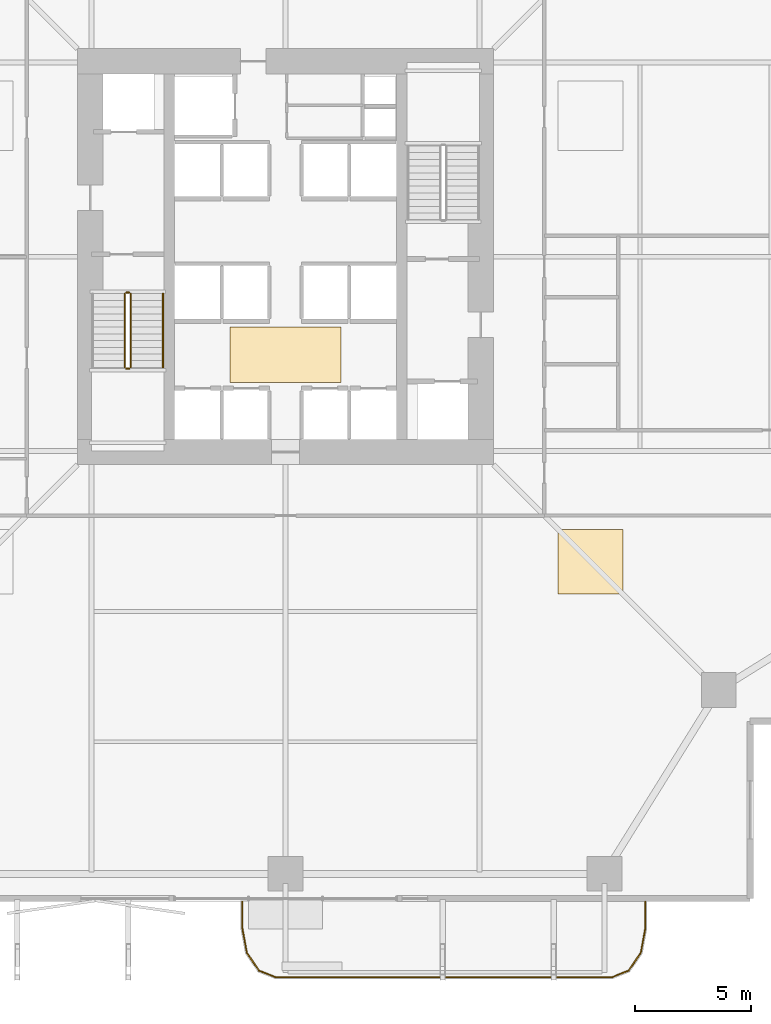
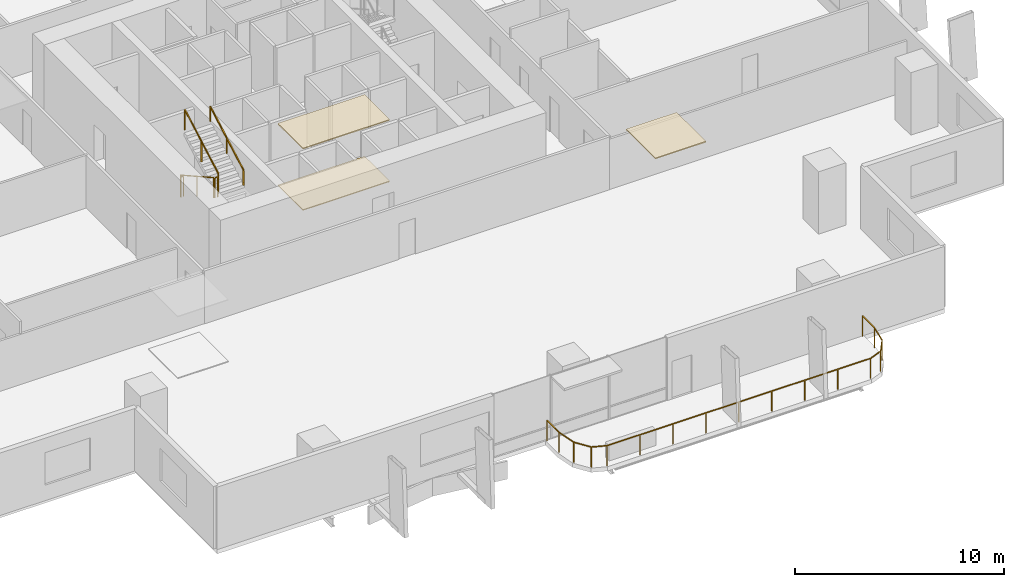
# One storey, part 22 of 24: 6 railings, 3 coverings.
"""IFC4 building model written with IfcOpenShell, lengths in metres."""

import ifcopenshell
import ifcopenshell.guid

model = None  # the IFC model being written
_history = None  # IfcOwnerHistory: only IFC2X3 demands one
_inside = {}  # id of a spatial element -> (the spatial element, [elements in it])
_under = {}  # id of a project, library or spatial element -> (it, [spatial elements below it])
_declared = {}  # id of a project -> (the project, [libraries it declares])
_typed = {}  # id of a type object -> (the type object, [elements of that type])
_made_of = {}  # id of a material, layer set ... -> (it, [elements and type objects made of it])


def new_model(schema):
    """Start an empty IFC model of exactly this schema.

    Asked for "IFC4X3", IfcOpenShell would pick the latest addendum, in which some entities
    have other attributes; the version numbers below select the first issue.
    IFC2X3 requires an IfcOwnerHistory on every rooted entity: one is made here for all.
    """
    global model, _history
    if schema == "IFC4X3":
        model = ifcopenshell.file(schema_version=(4, 3, 0, 0))
    else:
        model = ifcopenshell.file(schema=schema)
    _inside.clear()
    _under.clear()
    _declared.clear()
    _typed.clear()
    _made_of.clear()
    _history = None
    if model.schema == "IFC2X3":
        org = make("IfcOrganization", Name="unknown")
        user = make(
            "IfcPersonAndOrganization",
            ThePerson=make("IfcPerson", FamilyName="unknown"),
            TheOrganization=org,
        )
        app = make(
            "IfcApplication",
            ApplicationDeveloper=org,
            Version="unknown",
            ApplicationFullName="unknown",
            ApplicationIdentifier="unknown",
        )
        _history = make(
            "IfcOwnerHistory",
            OwningUser=user,
            OwningApplication=app,
            ChangeAction="ADDED",
            CreationDate=0,
        )
    return model


def make(cls, **values):
    """One entity of the class cls with the attributes given. An attribute that is None is left unset."""
    return model.create_entity(
        cls, **{name: value for name, value in values.items() if value is not None}
    )


def rooted(cls, **values):
    """An entity with a GlobalId (a new one), such as an element, a storey or a relation."""
    return make(cls, GlobalId=ifcopenshell.guid.new(), OwnerHistory=_history, **values)


def si_unit(unit_type, name, prefix=None):
    """IfcSIUnit, for example si_unit("LENGTHUNIT", "METRE", prefix="MILLI")."""
    return make("IfcSIUnit", UnitType=unit_type, Prefix=prefix, Name=name)


def assignment(units):
    """IfcUnitAssignment: the units of a project."""
    return None if units is None else make("IfcUnitAssignment", Units=units)


def point(xyz):
    """IfcCartesianPoint."""
    return None if xyz is None else make("IfcCartesianPoint", Coordinates=xyz)


def direction(xyz):
    """IfcDirection."""
    return None if xyz is None else make("IfcDirection", DirectionRatios=xyz)


def frame(location, z_axis=None, x_axis=None):
    """IfcAxis2Placement3D, a coordinate frame: its origin and axes. An axis left out is left unset."""
    return make(
        "IfcAxis2Placement3D",
        Location=point(location),
        Axis=direction(z_axis),
        RefDirection=direction(x_axis),
    )


def frame_2d(location, x_axis=None):
    """IfcAxis2Placement2D, a coordinate frame in the plane: its origin and x axis."""
    return make(
        "IfcAxis2Placement2D", Location=point(location), RefDirection=direction(x_axis)
    )


def origin():
    """The frame at (0, 0, 0) with its axes left unset."""
    return frame((0.0, 0.0, 0.0))


def origin_2d():
    """The frame at (0, 0) in the plane with its x axis left unset."""
    return frame_2d((0.0, 0.0))


def place(relative_to, where):
    """IfcLocalPlacement: puts the frame where relative to a parent placement (None: the world)."""
    return make(
        "IfcLocalPlacement", PlacementRelTo=relative_to, RelativePlacement=where
    )


def context(
    kind, dimensions, precision=None, world=None, true_north=None, identifier=None
):
    """IfcGeometricRepresentationContext, for example the 3D "Model" context."""
    return make(
        "IfcGeometricRepresentationContext",
        ContextIdentifier=identifier,
        ContextType=kind,
        CoordinateSpaceDimension=dimensions,
        Precision=precision,
        WorldCoordinateSystem=world,
        TrueNorth=true_north,
    )


def subcontext(parent, identifier, kind, view, scale=None):
    """IfcGeometricRepresentationSubContext, for example "Body" below "Model"."""
    return make(
        "IfcGeometricRepresentationSubContext",
        ContextIdentifier=identifier,
        ContextType=kind,
        ParentContext=parent,
        TargetScale=scale,
        TargetView=view,
    )


def project(units=None, contexts=None):
    """IfcProject with its units and contexts."""
    return rooted(
        "IfcProject",
        Name="project",
        RepresentationContexts=contexts,
        UnitsInContext=assignment(units),
    )


def spatial(cls, under=None, at=None, **own):
    """A site, building, storey or space (cls), placed at a placement, below another one or the project."""
    s = rooted(cls, ObjectPlacement=at, **own)
    if under is not None:
        _under.setdefault(under.id(), (under, []))[1].append(s)
    return s


def polyline(points):
    """IfcPolyline through the points."""
    return make("IfcPolyline", Points=[point(p) for p in points])


def profile(cls, at=None, kind="AREA", **sizes):
    """A parametric profile (cls). Its sizes go by their IFC names, for example OverallWidth=200.0."""
    return make(cls, ProfileType=kind, Position=at, **sizes)


def rectangle(**sizes):
    """IfcRectangleProfileDef."""
    return profile("IfcRectangleProfileDef", **sizes)


def outline(outer, holes=None, kind="AREA"):
    """IfcArbitraryClosedProfileDef: a profile drawn as a closed curve; with holes, ...WithVoids."""
    if holes is None:
        return make("IfcArbitraryClosedProfileDef", ProfileType=kind, OuterCurve=outer)
    return make(
        "IfcArbitraryProfileDefWithVoids",
        ProfileType=kind,
        OuterCurve=outer,
        InnerCurves=holes,
    )


def extrude(swept, where, along, depth):
    """IfcExtrudedAreaSolid: the profile swept, set in the frame where, extruded along a direction by depth."""
    return make(
        "IfcExtrudedAreaSolid",
        SweptArea=swept,
        Position=where,
        ExtrudedDirection=direction(along),
        Depth=depth,
    )


def shape(context_of_items, identifier, shape_type, items):
    """IfcShapeRepresentation: the items that make up one representation, for example the "Body"."""
    return make(
        "IfcShapeRepresentation",
        ContextOfItems=context_of_items,
        RepresentationIdentifier=identifier,
        RepresentationType=shape_type,
        Items=items,
    )


def material(Name=None, Category=None):
    """IfcMaterial."""
    return make("IfcMaterial", Name=Name, Category=Category)


def layer(
    of_material, thickness, ventilated=None, Name=None, Category=None, Priority=None
):
    """IfcMaterialLayer: one layer of a wall or slab, of a material (None: an air gap)."""
    return make(
        "IfcMaterialLayer",
        Material=of_material,
        LayerThickness=thickness,
        IsVentilated=ventilated,
        Name=Name,
        Category=Category,
        Priority=Priority,
    )


def layer_set(layers, Name=None):
    """IfcMaterialLayerSet."""
    return make("IfcMaterialLayerSet", MaterialLayers=layers, LayerSetName=Name)


def made_of(thing, what):
    """Note that an element or type object is made of a material, layer set ...; save() writes the relation."""
    if what is not None:
        _made_of.setdefault(what.id(), (what, []))[1].append(thing)
    return thing


def type_object(cls, material=None, **own):
    """A type object (cls), such as IfcWallType, which elements share."""
    return made_of(rooted(cls, **own), material)


def element(
    cls,
    number,
    at=None,
    inside=None,
    cuts=None,
    type_object=None,
    material=None,
    context=None,
    identifier="Body",
    shape_type=None,
    held_by="IfcProductDefinitionShape",
    body=None,
    shapes=None,
    **own,
):
    """One element of the class cls, such as IfcWall. Its Tag is "e" and its number.

    at: its placement. inside: the storey or other place that contains it. cuts: it is an
    opening in that element (IfcRelVoidsElement). A single representation is given by context,
    identifier, shape_type and body (its items); several are given by shapes. held_by: the class
    of the entity that holds the representations. save() writes the other relations.
    """
    e = rooted(cls, Tag="e%d" % number, ObjectPlacement=at, **own)
    if body is not None:
        shapes = [shape(context, identifier, shape_type, body)]
    if shapes is not None:
        e.Representation = make(held_by, Representations=shapes)
    if inside is not None:
        _inside.setdefault(inside.id(), (inside, []))[1].append(e)
    if cuts is not None:
        rooted(
            "IfcRelVoidsElement", RelatingBuildingElement=cuts, RelatedOpeningElement=e
        )
    if type_object is not None:
        _typed.setdefault(type_object.id(), (type_object, []))[1].append(e)
    return made_of(e, material)


def aggregate(whole, parts):
    """IfcRelAggregates: a whole, such as a stair, and the parts it consists of."""
    return rooted("IfcRelAggregates", RelatingObject=whole, RelatedObjects=parts)


def save(model, path):
    """Write the relations noted so far, then the file.

    IfcRelAggregates (storeys below a building ...), IfcRelContainedInSpatialStructure (elements
    in a storey), IfcRelDefinesByType, IfcRelAssociatesMaterial and IfcRelDeclares: one each for
    every whole, place, type object, material and project.
    """
    for whole, parts in _under.values():
        aggregate(whole, parts)
    for where, things in _inside.values():
        rooted(
            "IfcRelContainedInSpatialStructure",
            RelatedElements=things,
            RelatingStructure=where,
        )
    for kind, things in _typed.values():
        rooted("IfcRelDefinesByType", RelatedObjects=things, RelatingType=kind)
    for what, things in _made_of.values():
        rooted("IfcRelAssociatesMaterial", RelatedObjects=things, RelatingMaterial=what)
    for by, libraries in _declared.values():
        rooted("IfcRelDeclares", RelatingContext=by, RelatedDefinitions=libraries)
    model.write(path)


model = new_model("IFC4")

# Units and contexts
model_context = context("Model", 3, precision=1e-05, world=origin(), true_north=direction((0.0, 1.0)))
body_context = subcontext(model_context, "Body", "Model", "MODEL_VIEW")
ifc_project = project(units=[si_unit("LENGTHUNIT", "METRE"), si_unit("AREAUNIT", "SQUARE_METRE"), si_unit("VOLUMEUNIT", "CUBIC_METRE"), si_unit("PLANEANGLEUNIT", "RADIAN"), si_unit("MASSUNIT", "GRAM", prefix="KILO")], contexts=[model_context])

# Site, building, storey
site_placement = place(None, origin())
site = spatial("IfcSite", under=ifc_project, at=site_placement, CompositionType="ELEMENT")
building_placement = place(site_placement, origin())
building = spatial("IfcBuilding", under=site, at=building_placement, Name="Belovzor Exchange Tower", CompositionType="ELEMENT")
storey_placement = place(building_placement, frame((0.0, 0.0, 45.60009765625)))
storey = spatial("IfcBuildingStorey", under=building, at=storey_placement, Name="L10", CompositionType="ELEMENT", Elevation=45.60009765625)

# Railings
ifc_material_1 = material(Name="Stainless Steel Grade 304", Category="steel")
railing_type_1 = type_object("IfcRailingType", Name="Brushed Stainless Steel Stair Handrail 900", PredefinedType="HANDRAIL", material=ifc_material_1)
railing_1_placement = place(storey_placement, frame((23.5, 24.010009765625, 2.1123046875)))
element("IfcRailing", 1, at=railing_1_placement, inside=storey, type_object=railing_type_1, Name="L10 ST-1 stair handrail 2", PredefinedType="HANDRAIL", context=body_context, shape_type="SweptSolid", body=[
    extrude(rectangle(XDim=0.048095703125, YDim=0.048095703125, at=origin_2d()), frame((0.0, 0.0, 0.8759765625), z_axis=(0.0, 0.8723625253, 0.488859514025), x_axis=(-1.0, 0.0, 0.0)), (0.0, 0.0, 1.0), 3.65673828125),
    extrude(rectangle(XDim=0.0419921875, YDim=0.0419921875, at=origin_2d()), origin(), (0.0, 0.0, 1.0), 0.851806640625),
    extrude(rectangle(XDim=0.0419921875, YDim=0.0419921875, at=origin_2d()), frame((0.0, 1.594970703125, 0.893798828125)), (0.0, 0.0, 1.0), 0.851806640625),
    extrude(rectangle(XDim=0.0419921875, YDim=0.0419921875, at=origin_2d()), frame((0.0, 3.18994140625, 1.78759765625)), (0.0, 0.0, 1.0), 0.851806640625),
])
ifc_material_2 = material(Name="Stainless Steel and Laminated Safety Glass", Category="steel")
railing_type_2 = type_object("IfcRailingType", Name="Laminated Glass & Stainless Steel Balcony Balustrade 1200", PredefinedType="BALUSTRADE", material=ifc_material_2)
railing_2_placement = place(storey_placement, frame((26.929931640625, 0.889892578125, 0.0)))
element("IfcRailing", 2, at=railing_2_placement, inside=storey, type_object=railing_type_2, Name="GR-1 Balcony Balustrade L10 South", PredefinedType="BALUSTRADE", context=body_context, shape_type="SweptSolid", body=[
    extrude(rectangle(XDim=0.048095703125, YDim=0.048095703125, at=origin_2d()), frame((0.0, 0.0, 1.17578125), z_axis=(0.0, -1.0, 0.0), x_axis=(1.0, 0.0, 0.0)), (0.0, 0.0, 1.0), 1.1328125),
    extrude(rectangle(XDim=0.048095703125, YDim=0.048095703125, at=origin_2d()), frame((0.0, -1.1328125, 1.17578125), z_axis=(0.180083182347, -0.983651385113, 0.0), x_axis=(0.983651385113, 0.180083182347, 0.0)), (0.0, 0.0, 1.0), 1.093994140625),
    extrude(rectangle(XDim=0.048095703125, YDim=0.048095703125, at=origin_2d()), frame((0.197021484375, -2.208984375, 1.17578125), z_axis=(0.56294695933, -0.826493025367, 0.0), x_axis=(0.826493025367, 0.56294695933, 0.0)), (0.0, 0.0, 1.0), 0.932861328125),
    extrude(rectangle(XDim=0.048095703125, YDim=0.048095703125, at=origin_2d()), frame((0.72216796875, -2.97998046875, 1.17578125), z_axis=(0.930766990125, -0.365612923861, 0.0), x_axis=(0.365612923861, 0.930766990125, 0.0)), (0.0, 0.0, 1.0), 0.765869140625),
    extrude(rectangle(XDim=0.048095703125, YDim=0.048095703125, at=origin_2d()), frame((1.43505859375, -3.260009765625, 1.17578125), z_axis=(1.0, 0.0, 0.0), x_axis=(0.0, 1.0, 0.0)), (0.0, 0.0, 1.0), 14.570068359375),
    extrude(rectangle(XDim=0.048095703125, YDim=0.048095703125, at=origin_2d()), frame((16.005126953125, -3.260009765625, 1.17578125), z_axis=(0.930766990125, 0.365612923861, 0.0), x_axis=(-0.365612923861, 0.930766990125, 0.0)), (0.0, 0.0, 1.0), 0.765869140625),
    extrude(rectangle(XDim=0.048095703125, YDim=0.048095703125, at=origin_2d()), frame((16.718017578125, -2.97998046875, 1.17578125), z_axis=(0.56294695933, 0.826493025367, 0.0), x_axis=(-0.826493025367, 0.56294695933, 0.0)), (0.0, 0.0, 1.0), 0.932861328125),
    extrude(rectangle(XDim=0.048095703125, YDim=0.048095703125, at=origin_2d()), frame((17.2431640625, -2.208984375, 1.17578125), z_axis=(0.180083182347, 0.983651385113, 0.0), x_axis=(-0.983651385113, 0.180083182347, 0.0)), (0.0, 0.0, 1.0), 1.093994140625),
    extrude(rectangle(XDim=0.048095703125, YDim=0.048095703125, at=origin_2d()), frame((17.440185546875, -1.1328125, 1.17578125), z_axis=(0.0, 1.0, 0.0), x_axis=(-1.0, 0.0, 0.0)), (0.0, 0.0, 1.0), 1.1328125),
    extrude(rectangle(XDim=0.0419921875, YDim=0.0419921875, at=origin_2d()), origin(), (0.0, 0.0, 1.0), 1.15185546875),
    extrude(rectangle(XDim=0.0419921875, YDim=0.0419921875, at=origin_2d()), frame((0.0, -1.1328125, 0.0)), (0.0, 0.0, 1.0), 1.15185546875),
    extrude(rectangle(XDim=0.0419921875, YDim=0.0419921875, at=origin_2d()), frame((0.197021484375, -2.208984375, 0.0)), (0.0, 0.0, 1.0), 1.15185546875),
    extrude(rectangle(XDim=0.0419921875, YDim=0.0419921875, at=origin_2d()), frame((0.72216796875, -2.97998046875, 0.0)), (0.0, 0.0, 1.0), 1.15185546875),
    extrude(rectangle(XDim=0.0419921875, YDim=0.0419921875, at=origin_2d()), frame((1.43505859375, -3.260009765625, 0.0)), (0.0, 0.0, 1.0), 1.15185546875),
    extrude(rectangle(XDim=0.0419921875, YDim=0.0419921875, at=origin_2d()), frame((3.25634765625, -3.260009765625, 0.0)), (0.0, 0.0, 1.0), 1.15185546875),
    extrude(rectangle(XDim=0.0419921875, YDim=0.0419921875, at=origin_2d()), frame((5.07763671875, -3.260009765625, 0.0)), (0.0, 0.0, 1.0), 1.15185546875),
    extrude(rectangle(XDim=0.0419921875, YDim=0.0419921875, at=origin_2d()), frame((6.89892578125, -3.260009765625, 0.0)), (0.0, 0.0, 1.0), 1.15185546875),
    extrude(rectangle(XDim=0.0419921875, YDim=0.0419921875, at=origin_2d()), frame((8.72021484375, -3.260009765625, 0.0)), (0.0, 0.0, 1.0), 1.15185546875),
    extrude(rectangle(XDim=0.0419921875, YDim=0.0419921875, at=origin_2d()), frame((10.541259765625, -3.260009765625, 0.0)), (0.0, 0.0, 1.0), 1.15185546875),
    extrude(rectangle(XDim=0.0419921875, YDim=0.0419921875, at=origin_2d()), frame((12.362548828125, -3.260009765625, 0.0)), (0.0, 0.0, 1.0), 1.15185546875),
    extrude(rectangle(XDim=0.0419921875, YDim=0.0419921875, at=origin_2d()), frame((14.183837890625, -3.260009765625, 0.0)), (0.0, 0.0, 1.0), 1.15185546875),
    extrude(rectangle(XDim=0.0419921875, YDim=0.0419921875, at=origin_2d()), frame((16.005126953125, -3.260009765625, 0.0)), (0.0, 0.0, 1.0), 1.15185546875),
    extrude(rectangle(XDim=0.0419921875, YDim=0.0419921875, at=origin_2d()), frame((16.718017578125, -2.97998046875, 0.0)), (0.0, 0.0, 1.0), 1.15185546875),
    extrude(rectangle(XDim=0.0419921875, YDim=0.0419921875, at=origin_2d()), frame((17.2431640625, -2.208984375, 0.0)), (0.0, 0.0, 1.0), 1.15185546875),
    extrude(rectangle(XDim=0.0419921875, YDim=0.0419921875, at=origin_2d()), frame((17.440185546875, -1.1328125, 0.0)), (0.0, 0.0, 1.0), 1.15185546875),
    extrude(rectangle(XDim=0.0419921875, YDim=0.0419921875, at=origin_2d()), frame((17.440185546875, 0.0, 0.0)), (0.0, 0.0, 1.0), 1.15185546875),
])
ifc_material_3 = material(Name="Steel S355", Category="steel")
railing_type_3 = type_object("IfcRailingType", Name="Painted Steel Stairwell Guardrail 1200", PredefinedType="GUARDRAIL", material=ifc_material_3)
railing_3_placement = place(storey_placement, frame((21.85009765625, 27.199951171875, 0.162353515625)))
element("IfcRailing", 3, at=railing_3_placement, inside=storey, type_object=railing_type_3, Name="L10 ST-1 stair guard 1", PredefinedType="GUARDRAIL", context=body_context, shape_type="SweptSolid", body=[
    extrude(rectangle(XDim=0.048095703125, YDim=0.048095703125, at=origin_2d()), frame((0.0, 0.0, 1.17578125), z_axis=(0.0, -0.8723625253, 0.488859514025), x_axis=(1.0, 0.0, 0.0)), (0.0, 0.0, 1.0), 3.65673828125),
    extrude(rectangle(XDim=0.0419921875, YDim=0.0419921875, at=origin_2d()), origin(), (0.0, 0.0, 1.0), 1.15185546875),
    extrude(rectangle(XDim=0.0419921875, YDim=0.0419921875, at=origin_2d()), frame((0.0, -1.594970703125, 0.893798828125)), (0.0, 0.0, 1.0), 1.15185546875),
    extrude(rectangle(XDim=0.0419921875, YDim=0.0419921875, at=origin_2d()), frame((0.0, -3.18994140625, 1.78759765625)), (0.0, 0.0, 1.0), 1.15185546875),
])
railing_4_placement = place(storey_placement, frame((21.89990234375, 23.9599609375, 1.949951171875)))
element("IfcRailing", 4, at=railing_4_placement, inside=storey, type_object=railing_type_3, Name="L10 ST-1 stair guard 2", PredefinedType="GUARDRAIL", context=body_context, shape_type="SweptSolid", body=[
    extrude(rectangle(XDim=0.048095703125, YDim=0.048095703125, at=origin_2d()), frame((0.0, 0.0, 1.17578125), z_axis=(1.0, 0.0, 0.0), x_axis=(0.0, 1.0, 0.0)), (0.0, 0.0, 1.0), 0.150146484375),
    extrude(rectangle(XDim=0.0419921875, YDim=0.0419921875, at=origin_2d()), origin(), (0.0, 0.0, 1.0), 1.15185546875),
    extrude(rectangle(XDim=0.0419921875, YDim=0.0419921875, at=origin_2d()), frame((0.150146484375, 0.0, 0.0)), (0.0, 0.0, 1.0), 1.15185546875),
])
railing_5_placement = place(storey_placement, frame((22.10009765625, 24.010009765625, 2.1123046875)))
element("IfcRailing", 5, at=railing_5_placement, inside=storey, type_object=railing_type_3, Name="L10 ST-1 stair guard 3", PredefinedType="GUARDRAIL", context=body_context, shape_type="SweptSolid", body=[
    extrude(rectangle(XDim=0.048095703125, YDim=0.048095703125, at=origin_2d()), frame((0.0, 0.0, 1.17578125), z_axis=(0.0, 0.8723625253, 0.488859514025), x_axis=(-1.0, 0.0, 0.0)), (0.0, 0.0, 1.0), 3.65673828125),
    extrude(rectangle(XDim=0.0419921875, YDim=0.0419921875, at=origin_2d()), origin(), (0.0, 0.0, 1.0), 1.15185546875),
    extrude(rectangle(XDim=0.0419921875, YDim=0.0419921875, at=origin_2d()), frame((0.0, 1.594970703125, 0.893798828125)), (0.0, 0.0, 1.0), 1.15185546875),
    extrude(rectangle(XDim=0.0419921875, YDim=0.0419921875, at=origin_2d()), frame((0.0, 3.18994140625, 1.78759765625)), (0.0, 0.0, 1.0), 1.15185546875),
])
railing_6_placement = place(storey_placement, frame((21.89990234375, 27.25, 0.0)))
element("IfcRailing", 6, at=railing_6_placement, inside=storey, type_object=railing_type_3, Name="L10 ST-1 stair guard 4", PredefinedType="GUARDRAIL", context=body_context, shape_type="SweptSolid", body=[
    extrude(rectangle(XDim=0.048095703125, YDim=0.048095703125, at=origin_2d()), frame((0.0, 0.0, 1.17578125), z_axis=(1.0, 0.0, 0.0), x_axis=(0.0, 1.0, 0.0)), (0.0, 0.0, 1.0), 0.150146484375),
    extrude(rectangle(XDim=0.0419921875, YDim=0.0419921875, at=origin_2d()), origin(), (0.0, 0.0, 1.0), 1.15185546875),
    extrude(rectangle(XDim=0.0419921875, YDim=0.0419921875, at=origin_2d()), frame((0.150146484375, 0.0, 0.0)), (0.0, 0.0, 1.0), 1.15185546875),
])

# Coverings
ifc_material_4 = material(Name="Perforated Powder-Coated Aluminium", Category="aluminium")
ifc_layer_1 = layer(ifc_material_4, 0.06005859375)
ifc_layer_set_1 = layer_set([ifc_layer_1], Name="Perforated Powder-Coated Aluminium")
covering_type_1 = type_object("IfcCoveringType", Name="Perforated Acoustic Metal Tile Suspended Ceiling 60", PredefinedType="CEILING", material=ifc_layer_set_1)
covering_1_placement = place(storey_placement, frame((0.0, 0.0, 3.58984375)))
element("IfcCovering", 7, at=covering_1_placement, inside=storey, type_object=covering_type_1, Name="CLG-AC60 Suspended Ceiling CLG-L10-LOB", PredefinedType="CEILING", context=body_context, shape_type="SweptSolid", body=[
    extrude(outline(polyline([(26.39990234375, 23.35009765625), (31.199951171875, 23.35009765625), (31.199951171875, 25.75), (26.39990234375, 25.75), (26.39990234375, 23.35009765625)])), origin(), (0.0, 0.0, 1.0), 0.06005859375),
])
covering_2_placement = place(storey_placement, frame((0.0, 0.0, 3.58984375)))
element("IfcCovering", 8, at=covering_2_placement, inside=storey, type_object=covering_type_1, Name="CLG-AC60 Suspended Ceiling CLG-L10-Z1", PredefinedType="CEILING", context=body_context, shape_type="SweptSolid", body=[
    extrude(outline(polyline([(40.60009765625, 14.199951171875), (43.39990234375, 14.199951171875), (43.39990234375, 17.0), (40.60009765625, 17.0), (40.60009765625, 14.199951171875)])), origin(), (0.0, 0.0, 1.0), 0.06005859375),
])
ifc_material_5 = material(Name="Polished Natural Granite Tile", Category="masonry")
ifc_layer_2 = layer(ifc_material_5, 0.050048828125)
ifc_layer_set_2 = layer_set([ifc_layer_2], Name="Polished Natural Granite Tile")
covering_type_2 = type_object("IfcCoveringType", Name="Polished Karelian Granite & Raised Access Floor Finish 50", PredefinedType="FLOORING", material=ifc_layer_set_2)
covering_3_placement = place(storey_placement, origin())
element("IfcCovering", 9, at=covering_3_placement, inside=storey, type_object=covering_type_2, Name="FLR-GR50 Floor Finish FLR-L10-LOB", PredefinedType="FLOORING", context=body_context, shape_type="SweptSolid", body=[
    extrude(outline(polyline([(26.39990234375, 23.35009765625), (31.199951171875, 23.35009765625), (31.199951171875, 25.75), (26.39990234375, 25.75), (26.39990234375, 23.35009765625)])), origin(), (0.0, 0.0, 1.0), 0.0498046875),
])

save(model, "model.ifc")
